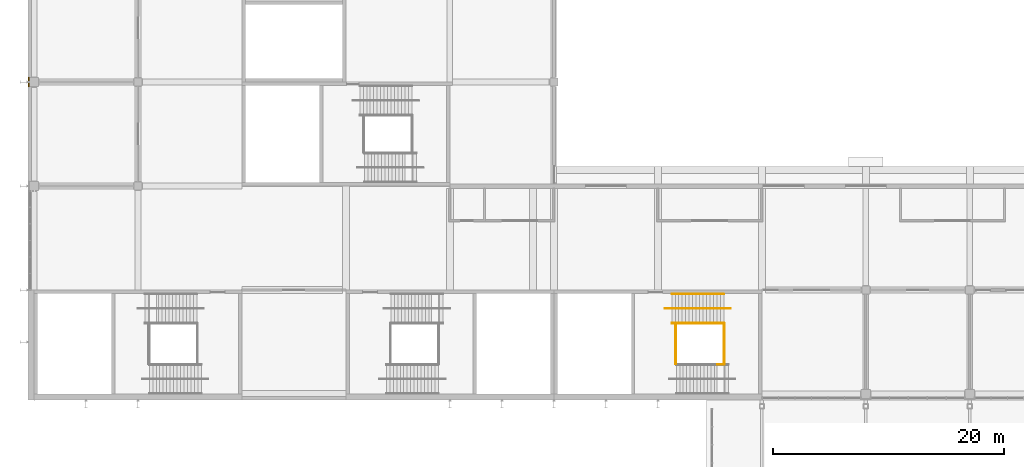
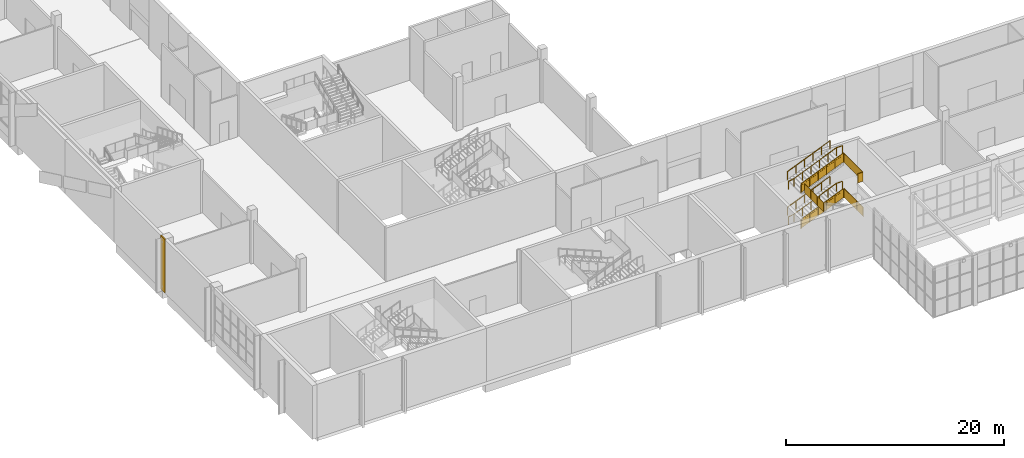
# One storey, part 69 of 89: 11 railings, 1 covering.
"""IFC4 building model written with IfcOpenShell, lengths in metres."""

from ifc_helpers import new_model, si_unit, direction, frame, origin, origin_2d, place, context, subcontext, project, spatial, polyline, circle, outline, extrude, material, layer, layer_set, type_object, element, save


model = new_model("IFC4")

# Units and contexts
model_context = context("Model", 3, precision=1e-05, world=origin(), true_north=direction((0.0, 1.0)))
body_context = subcontext(model_context, "Body", "Model", "MODEL_VIEW")
ifc_project = project(units=[si_unit("LENGTHUNIT", "METRE"), si_unit("AREAUNIT", "SQUARE_METRE"), si_unit("VOLUMEUNIT", "CUBIC_METRE"), si_unit("PLANEANGLEUNIT", "RADIAN"), si_unit("MASSUNIT", "GRAM", prefix="KILO")], contexts=[model_context])

# Site, building, storey
site_placement = place(None, origin())
site = spatial("IfcSite", under=ifc_project, at=site_placement, CompositionType="ELEMENT")
building_placement = place(site_placement, origin())
building = spatial("IfcBuilding", under=site, at=building_placement, Name="Silverbay Arena", CompositionType="ELEMENT")
storey_placement = place(building_placement, frame((0.0, 0.0, 22.0)))
storey = spatial("IfcBuildingStorey", under=building, at=storey_placement, Name="L03", CompositionType="ELEMENT", Elevation=22.0)

# Covering
ifc_material_1 = material(Name="Aluminium composite cladding", Category="aluminium")
ifc_layer = layer(ifc_material_1, 0.10009765625)
ifc_layer_set = layer_set([ifc_layer], Name="Aluminium composite cladding")
covering_type = type_object("IfcCoveringType", Name="Column cladding 100", PredefinedType="CLADDING", material=ifc_layer_set)
covering_placement = place(storey_placement, origin())
element("IfcCovering", 1, at=covering_placement, inside=storey, type_object=covering_type, Name="West column cladding L03 7", PredefinedType="CLADDING", context=body_context, shape_type="SweptSolid", body=[
    extrude(outline(polyline([(53.5, 44.60009765625), (53.60009765625, 44.60009765625), (53.60009765625, 45.39990234375), (53.5, 45.39990234375), (53.5, 44.60009765625)])), origin(), (0.0, 0.0, 1.0), 6.0),
])

# Railings
ifc_material_2 = material(Name="Stainless steel", Category="steel")
railing_type_1 = type_object("IfcRailingType", Name="Stair guard 1100", PredefinedType="GUARDRAIL", material=ifc_material_2)
railing_1_placement = place(storey_placement, frame((109.2099609375, 24.125, 0.125)))
element("IfcRailing", 2, at=railing_1_placement, inside=storey, type_object=railing_type_1, Name="Stair ST-S2 L03 to L04 flight 1 guard right", PredefinedType="GUARDRAIL", context=body_context, shape_type="SweptSolid", body=[
    extrude(circle(Radius=0.02392578125, at=origin_2d()), frame((0.0, 0.0, 1.076171875), z_axis=(0.923076923077, 0.0, 0.384615384615), x_axis=(0.0, 1.0, 0.0)), (0.0, 0.0, 1.0), 4.875),
    extrude(outline(polyline([(-0.008056640625, 0.046630859375), (0.907958984375, 0.42822265625), (0.907958984375, 1.431396484375), (-0.008056640625, 1.049560546875), (-0.008056640625, 0.046630859375)])), frame((0.0, 0.0029296875, 0.0), z_axis=(0.0, -1.0, 0.0), x_axis=(1.0, 0.0, 0.0)), (0.0, 0.0, 1.0), 0.006103515625),
    extrude(outline(polyline([(-0.008056640625, 0.421630859375), (0.907958984375, 0.80322265625), (0.907958984375, 1.806396484375), (-0.008056640625, 1.424560546875), (-0.008056640625, 0.421630859375)])), frame((0.89990234375, 0.0029296875, 0.0), z_axis=(0.0, -1.0, 0.0), x_axis=(1.0, 0.0, 0.0)), (0.0, 0.0, 1.0), 0.006103515625),
    extrude(outline(polyline([(-0.008056640625, 0.796630859375), (0.907958984375, 1.17822265625), (0.907958984375, 2.181396484375), (-0.008056640625, 1.799560546875), (-0.008056640625, 0.796630859375)])), frame((1.800048828125, 0.0029296875, 0.0), z_axis=(0.0, -1.0, 0.0), x_axis=(1.0, 0.0, 0.0)), (0.0, 0.0, 1.0), 0.006103515625),
    extrude(outline(polyline([(-0.008056640625, 1.171630859375), (0.907958984375, 1.55322265625), (0.907958984375, 2.556396484375), (-0.008056640625, 2.174560546875), (-0.008056640625, 1.171630859375)])), frame((2.699951171875, 0.0029296875, 0.0), z_axis=(0.0, -1.0, 0.0), x_axis=(1.0, 0.0, 0.0)), (0.0, 0.0, 1.0), 0.006103515625),
    extrude(outline(polyline([(-0.008056640625, 1.546630859375), (0.907958984375, 1.92822265625), (0.907958984375, 2.931396484375), (-0.008056640625, 2.549560546875), (-0.008056640625, 1.546630859375)])), frame((3.60009765625, 0.0029296875, 0.0), z_axis=(0.0, -1.0, 0.0), x_axis=(1.0, 0.0, 0.0)), (0.0, 0.0, 1.0), 0.006103515625),
    extrude(circle(Radius=0.02099609375, at=origin_2d()), origin(), (0.0, 0.0, 1.0), 1.052001953125),
    extrude(circle(Radius=0.02099609375, at=origin_2d()), frame((0.89990234375, 0.0, 0.375)), (0.0, 0.0, 1.0), 1.052001953125),
    extrude(circle(Radius=0.02099609375, at=origin_2d()), frame((1.800048828125, 0.0, 0.75)), (0.0, 0.0, 1.0), 1.052001953125),
    extrude(circle(Radius=0.02099609375, at=origin_2d()), frame((2.699951171875, 0.0, 1.125)), (0.0, 0.0, 1.0), 1.052001953125),
    extrude(circle(Radius=0.02099609375, at=origin_2d()), frame((3.60009765625, 0.0, 1.5)), (0.0, 0.0, 1.0), 1.052001953125),
    extrude(circle(Radius=0.02099609375, at=origin_2d()), frame((4.5, 0.0, 1.875)), (0.0, 0.0, 1.0), 1.052001953125),
])
railing_2_placement = place(storey_placement, frame((109.2099609375, 24.125, 4.125)))
element("IfcRailing", 3, at=railing_2_placement, inside=storey, type_object=railing_type_1, Name="Stair ST-S2 L03 to L04 flight 3 guard right", PredefinedType="GUARDRAIL", context=body_context, shape_type="SweptSolid", body=[
    extrude(circle(Radius=0.02392578125, at=origin_2d()), frame((0.0, 0.0, 1.076171875), z_axis=(0.923076923077, 0.0, 0.384615384615), x_axis=(0.0, 1.0, 0.0)), (0.0, 0.0, 1.0), 4.875),
    extrude(outline(polyline([(-0.008056640625, 0.046630859375), (0.907958984375, 0.42822265625), (0.907958984375, 1.431396484375), (-0.008056640625, 1.049560546875), (-0.008056640625, 0.046630859375)])), frame((0.0, 0.0029296875, 0.0), z_axis=(0.0, -1.0, 0.0), x_axis=(1.0, 0.0, 0.0)), (0.0, 0.0, 1.0), 0.006103515625),
    extrude(outline(polyline([(-0.008056640625, 0.421630859375), (0.907958984375, 0.80322265625), (0.907958984375, 1.806396484375), (-0.008056640625, 1.424560546875), (-0.008056640625, 0.421630859375)])), frame((0.89990234375, 0.0029296875, 0.0), z_axis=(0.0, -1.0, 0.0), x_axis=(1.0, 0.0, 0.0)), (0.0, 0.0, 1.0), 0.006103515625),
    extrude(outline(polyline([(-0.008056640625, 0.796630859375), (0.907958984375, 1.17822265625), (0.907958984375, 2.181396484375), (-0.008056640625, 1.799560546875), (-0.008056640625, 0.796630859375)])), frame((1.800048828125, 0.0029296875, 0.0), z_axis=(0.0, -1.0, 0.0), x_axis=(1.0, 0.0, 0.0)), (0.0, 0.0, 1.0), 0.006103515625),
    extrude(outline(polyline([(-0.008056640625, 1.171630859375), (0.907958984375, 1.55322265625), (0.907958984375, 2.556396484375), (-0.008056640625, 2.174560546875), (-0.008056640625, 1.171630859375)])), frame((2.699951171875, 0.0029296875, 0.0), z_axis=(0.0, -1.0, 0.0), x_axis=(1.0, 0.0, 0.0)), (0.0, 0.0, 1.0), 0.006103515625),
    extrude(outline(polyline([(-0.008056640625, 1.546630859375), (0.907958984375, 1.92822265625), (0.907958984375, 2.931396484375), (-0.008056640625, 2.549560546875), (-0.008056640625, 1.546630859375)])), frame((3.60009765625, 0.0029296875, 0.0), z_axis=(0.0, -1.0, 0.0), x_axis=(1.0, 0.0, 0.0)), (0.0, 0.0, 1.0), 0.006103515625),
    extrude(circle(Radius=0.02099609375, at=origin_2d()), origin(), (0.0, 0.0, 1.0), 1.052001953125),
    extrude(circle(Radius=0.02099609375, at=origin_2d()), frame((0.89990234375, 0.0, 0.375)), (0.0, 0.0, 1.0), 1.052001953125),
    extrude(circle(Radius=0.02099609375, at=origin_2d()), frame((1.800048828125, 0.0, 0.75)), (0.0, 0.0, 1.0), 1.052001953125),
    extrude(circle(Radius=0.02099609375, at=origin_2d()), frame((2.699951171875, 0.0, 1.125)), (0.0, 0.0, 1.0), 1.052001953125),
    extrude(circle(Radius=0.02099609375, at=origin_2d()), frame((3.60009765625, 0.0, 1.5)), (0.0, 0.0, 1.0), 1.052001953125),
    extrude(circle(Radius=0.02099609375, at=origin_2d()), frame((4.5, 0.0, 1.875)), (0.0, 0.0, 1.0), 1.052001953125),
])
for number, where, name in (
    (4, (113.760009765625, 24.10009765625, 2.0), "Stair ST-S2 L03 to L04 landing 1 guard"),
    (5, (109.550048828125, 24.10009765625, 4.0), "Stair ST-S2 L03 to L04 landing 2 guard"),
):
    element("IfcRailing", number, at=place(storey_placement, frame(where)), inside=storey, type_object=railing_type_1, Name=name, PredefinedType="GUARDRAIL", context=body_context, shape_type="SweptSolid", body=[
        extrude(circle(Radius=0.02392578125, at=origin_2d()), frame((0.0, 0.0, 1.076171875), z_axis=(0.0, -1.0, 0.0), x_axis=(1.0, 0.0, 0.0)), (0.0, 0.0, 1.0), 3.5),
        extrude(outline(polyline([(-0.008056640625, 0.050048828125), (1.174560546875, 0.050048828125), (1.174560546875, 1.052978515625), (-0.008056640625, 1.052978515625), (-0.008056640625, 0.050048828125)])), frame((0.0029296875, 0.0, 0.0), z_axis=(-1.0, 0.0, 0.0), x_axis=(0.0, -1.0, 0.0)), (0.0, 0.0, 1.0), 0.006103515625),
        extrude(outline(polyline([(-0.008056640625, 0.050048828125), (1.174560546875, 0.050048828125), (1.174560546875, 1.052978515625), (-0.008056640625, 1.052978515625), (-0.008056640625, 0.050048828125)])), frame((0.0029296875, -1.166748046875, 0.0), z_axis=(-1.0, 0.0, 0.0), x_axis=(0.0, -1.0, 0.0)), (0.0, 0.0, 1.0), 0.006103515625),
        extrude(outline(polyline([(-0.008056640625, 0.050048828125), (1.174560546875, 0.050048828125), (1.174560546875, 1.052978515625), (-0.008056640625, 1.052978515625), (-0.008056640625, 0.050048828125)])), frame((0.0029296875, -2.333251953125, 0.0), z_axis=(-1.0, 0.0, 0.0), x_axis=(0.0, -1.0, 0.0)), (0.0, 0.0, 1.0), 0.006103515625),
        extrude(circle(Radius=0.02099609375, at=origin_2d()), origin(), (0.0, 0.0, 1.0), 1.052001953125),
        extrude(circle(Radius=0.02099609375, at=origin_2d()), frame((0.0, -1.166748046875, 0.0)), (0.0, 0.0, 1.0), 1.052001953125),
        extrude(circle(Radius=0.02099609375, at=origin_2d()), frame((0.0, -2.333251953125, 0.0)), (0.0, 0.0, 1.0), 1.052001953125),
        extrude(circle(Radius=0.02099609375, at=origin_2d()), frame((0.0, -3.5, 0.0)), (0.0, 0.0, 1.0), 1.052001953125),
    ])
railing_3_placement = place(storey_placement, frame((113.14990234375, 20.550048828125, 6.0)))
element("IfcRailing", 6, at=railing_3_placement, inside=storey, type_object=railing_type_1, Name="Stair ST-S2 L03 to L04 landing 3 guard", PredefinedType="GUARDRAIL", context=body_context, shape_type="SweptSolid", body=[
    extrude(circle(Radius=0.02392578125, at=origin_2d()), frame((0.0, 0.0, 1.076171875), z_axis=(1.0, 0.0, 0.0), x_axis=(0.0, 1.0, 0.0)), (0.0, 0.0, 1.0), 0.56005859375),
    extrude(outline(polyline([(-0.008056640625, 0.050048828125), (0.568115234375, 0.050048828125), (0.568115234375, 1.052978515625), (-0.008056640625, 1.052978515625), (-0.008056640625, 0.050048828125)])), frame((0.0, 0.0029296875, 0.0), z_axis=(0.0, -1.0, 0.0), x_axis=(1.0, 0.0, 0.0)), (0.0, 0.0, 1.0), 0.006103515625),
    extrude(circle(Radius=0.02392578125, at=origin_2d()), frame((0.56005859375, 0.0, 1.076171875), z_axis=(0.0, 1.0, 0.0), x_axis=(-1.0, 0.0, 0.0)), (0.0, 0.0, 1.0), 3.550048828125),
    extrude(outline(polyline([(-0.008056640625, 0.050048828125), (1.19140625, 0.050048828125), (1.19140625, 1.052978515625), (-0.008056640625, 1.052978515625), (-0.008056640625, 0.050048828125)])), frame((0.55712890625, 0.0, 0.0), z_axis=(1.0, 0.0, 0.0), x_axis=(0.0, 1.0, 0.0)), (0.0, 0.0, 1.0), 0.006103515625),
    extrude(outline(polyline([(-0.008056640625, 0.050048828125), (1.19140625, 0.050048828125), (1.19140625, 1.052978515625), (-0.008056640625, 1.052978515625), (-0.008056640625, 0.050048828125)])), frame((0.55712890625, 1.183349609375, 0.0), z_axis=(1.0, 0.0, 0.0), x_axis=(0.0, 1.0, 0.0)), (0.0, 0.0, 1.0), 0.006103515625),
    extrude(outline(polyline([(-0.008056640625, 0.050048828125), (1.19140625, 0.050048828125), (1.19140625, 1.052978515625), (-0.008056640625, 1.052978515625), (-0.008056640625, 0.050048828125)])), frame((0.55712890625, 2.36669921875, 0.0), z_axis=(1.0, 0.0, 0.0), x_axis=(0.0, 1.0, 0.0)), (0.0, 0.0, 1.0), 0.006103515625),
    extrude(circle(Radius=0.02099609375, at=origin_2d()), origin(), (0.0, 0.0, 1.0), 1.052001953125),
    extrude(circle(Radius=0.02099609375, at=origin_2d()), frame((0.56005859375, 0.0, 0.0)), (0.0, 0.0, 1.0), 1.052001953125),
    extrude(circle(Radius=0.02099609375, at=origin_2d()), frame((0.56005859375, 1.183349609375, 0.0)), (0.0, 0.0, 1.0), 1.052001953125),
    extrude(circle(Radius=0.02099609375, at=origin_2d()), frame((0.56005859375, 2.36669921875, 0.0)), (0.0, 0.0, 1.0), 1.052001953125),
    extrude(circle(Radius=0.02099609375, at=origin_2d()), frame((0.56005859375, 3.550048828125, 0.0)), (0.0, 0.0, 1.0), 1.052001953125),
])
ifc_material_3 = material(Name="Stainless steel", Category="steel")
railing_type_2 = type_object("IfcRailingType", Name="Stair handrail 900", PredefinedType="HANDRAIL", material=ifc_material_3)
for number, where, name in (
    (7, (109.2099609375, 26.64990234375, 0.125), "Stair ST-S2 L03 to L04 flight 1 handrail left"),
    (8, (109.2099609375, 24.1640625, 0.125), "Stair ST-S2 L03 to L04 flight 1 handrail right"),
):
    element("IfcRailing", number, at=place(storey_placement, frame(where)), inside=storey, type_object=railing_type_2, Name=name, PredefinedType="HANDRAIL", context=body_context, shape_type="SweptSolid", body=[
        extrude(circle(Radius=0.02392578125, at=origin_2d()), frame((0.0, 0.0, 0.8759765625), z_axis=(0.923076923077, 0.0, 0.384615384615), x_axis=(0.0, 1.0, 0.0)), (0.0, 0.0, 1.0), 4.875),
        extrude(circle(Radius=0.02099609375, at=origin_2d()), origin(), (0.0, 0.0, 1.0), 0.851806640625),
        extrude(circle(Radius=0.02099609375, at=origin_2d()), frame((0.89990234375, 0.0, 0.375)), (0.0, 0.0, 1.0), 0.851806640625),
        extrude(circle(Radius=0.02099609375, at=origin_2d()), frame((1.800048828125, 0.0, 0.75)), (0.0, 0.0, 1.0), 0.851806640625),
        extrude(circle(Radius=0.02099609375, at=origin_2d()), frame((2.699951171875, 0.0, 1.125)), (0.0, 0.0, 1.0), 0.851806640625),
        extrude(circle(Radius=0.02099609375, at=origin_2d()), frame((3.60009765625, 0.0, 1.5)), (0.0, 0.0, 1.0), 0.851806640625),
        extrude(circle(Radius=0.02099609375, at=origin_2d()), frame((4.5, 0.0, 1.875)), (0.0, 0.0, 1.0), 0.851806640625),
    ])
railing_4_placement = place(storey_placement, frame((108.610107421875, 25.39990234375, 0.0)))
element("IfcRailing", 9, at=railing_4_placement, inside=storey, type_object=railing_type_2, Name="Stair ST-S2 L03 to L04 flight 1 central handrail", PredefinedType="HANDRAIL", context=body_context, shape_type="SweptSolid", body=[
    extrude(circle(Radius=0.02392578125, at=origin_2d()), frame((0.0, 0.0, 0.8759765625), z_axis=(0.978970474113, 0.0, 0.20400198728), x_axis=(0.0, 1.0, 0.0)), (0.0, 0.0, 1.0), 0.61279296875),
    extrude(circle(Radius=0.02392578125, at=origin_2d()), frame((0.599853515625, 0.0, 1.0009765625), z_axis=(0.923076923077, 0.0, 0.384615384615), x_axis=(0.0, 1.0, 0.0)), (0.0, 0.0, 1.0), 4.875),
    extrude(circle(Radius=0.02392578125, at=origin_2d()), frame((5.099853515625, 0.0, 2.8759765625), z_axis=(1.0, 0.0, 0.0), x_axis=(0.0, 1.0, 0.0)), (0.0, 0.0, 1.0), 0.60009765625),
    extrude(circle(Radius=0.02099609375, at=origin_2d()), origin(), (0.0, 0.0, 1.0), 0.851806640625),
    extrude(circle(Radius=0.02099609375, at=origin_2d()), frame((0.599853515625, 0.0, 0.125)), (0.0, 0.0, 1.0), 0.851806640625),
    extrude(circle(Radius=0.02099609375, at=origin_2d()), frame((1.499755859375, 0.0, 0.5)), (0.0, 0.0, 1.0), 0.851806640625),
    extrude(circle(Radius=0.02099609375, at=origin_2d()), frame((2.39990234375, 0.0, 0.875)), (0.0, 0.0, 1.0), 0.851806640625),
    extrude(circle(Radius=0.02099609375, at=origin_2d()), frame((3.2998046875, 0.0, 1.25)), (0.0, 0.0, 1.0), 0.851806640625),
    extrude(circle(Radius=0.02099609375, at=origin_2d()), frame((4.199951171875, 0.0, 1.625)), (0.0, 0.0, 1.0), 0.851806640625),
    extrude(circle(Radius=0.02099609375, at=origin_2d()), frame((5.099853515625, 0.0, 2.0)), (0.0, 0.0, 1.0), 0.851806640625),
    extrude(circle(Radius=0.02099609375, at=origin_2d()), frame((5.699951171875, 0.0, 2.0)), (0.0, 0.0, 1.0), 0.851806640625),
])
for number, where, name in (
    (10, (109.2099609375, 26.64990234375, 4.125), "Stair ST-S2 L03 to L04 flight 3 handrail left"),
    (11, (109.2099609375, 24.1640625, 4.125), "Stair ST-S2 L03 to L04 flight 3 handrail right"),
):
    element("IfcRailing", number, at=place(storey_placement, frame(where)), inside=storey, type_object=railing_type_2, Name=name, PredefinedType="HANDRAIL", context=body_context, shape_type="SweptSolid", body=[
        extrude(circle(Radius=0.02392578125, at=origin_2d()), frame((0.0, 0.0, 0.8759765625), z_axis=(0.923076923077, 0.0, 0.384615384615), x_axis=(0.0, 1.0, 0.0)), (0.0, 0.0, 1.0), 4.875),
        extrude(circle(Radius=0.02099609375, at=origin_2d()), origin(), (0.0, 0.0, 1.0), 0.851806640625),
        extrude(circle(Radius=0.02099609375, at=origin_2d()), frame((0.89990234375, 0.0, 0.375)), (0.0, 0.0, 1.0), 0.851806640625),
        extrude(circle(Radius=0.02099609375, at=origin_2d()), frame((1.800048828125, 0.0, 0.75)), (0.0, 0.0, 1.0), 0.851806640625),
        extrude(circle(Radius=0.02099609375, at=origin_2d()), frame((2.699951171875, 0.0, 1.125)), (0.0, 0.0, 1.0), 0.851806640625),
        extrude(circle(Radius=0.02099609375, at=origin_2d()), frame((3.60009765625, 0.0, 1.5)), (0.0, 0.0, 1.0), 0.851806640625),
        extrude(circle(Radius=0.02099609375, at=origin_2d()), frame((4.5, 0.0, 1.875)), (0.0, 0.0, 1.0), 0.851806640625),
    ])
railing_5_placement = place(storey_placement, frame((108.610107421875, 25.39990234375, 4.0)))
element("IfcRailing", 12, at=railing_5_placement, inside=storey, type_object=railing_type_2, Name="Stair ST-S2 L03 to L04 flight 3 central handrail", PredefinedType="HANDRAIL", context=body_context, shape_type="SweptSolid", body=[
    extrude(circle(Radius=0.02392578125, at=origin_2d()), frame((0.0, 0.0, 0.8759765625), z_axis=(0.978970474113, 0.0, 0.20400198728), x_axis=(0.0, 1.0, 0.0)), (0.0, 0.0, 1.0), 0.61279296875),
    extrude(circle(Radius=0.02392578125, at=origin_2d()), frame((0.599853515625, 0.0, 1.0009765625), z_axis=(0.923076923077, 0.0, 0.384615384615), x_axis=(0.0, 1.0, 0.0)), (0.0, 0.0, 1.0), 4.875),
    extrude(circle(Radius=0.02392578125, at=origin_2d()), frame((5.099853515625, 0.0, 2.8759765625), z_axis=(1.0, 0.0, 0.0), x_axis=(0.0, 1.0, 0.0)), (0.0, 0.0, 1.0), 0.60009765625),
    extrude(circle(Radius=0.02099609375, at=origin_2d()), origin(), (0.0, 0.0, 1.0), 0.851806640625),
    extrude(circle(Radius=0.02099609375, at=origin_2d()), frame((0.599853515625, 0.0, 0.125)), (0.0, 0.0, 1.0), 0.851806640625),
    extrude(circle(Radius=0.02099609375, at=origin_2d()), frame((1.499755859375, 0.0, 0.5)), (0.0, 0.0, 1.0), 0.851806640625),
    extrude(circle(Radius=0.02099609375, at=origin_2d()), frame((2.39990234375, 0.0, 0.875)), (0.0, 0.0, 1.0), 0.851806640625),
    extrude(circle(Radius=0.02099609375, at=origin_2d()), frame((3.2998046875, 0.0, 1.25)), (0.0, 0.0, 1.0), 0.851806640625),
    extrude(circle(Radius=0.02099609375, at=origin_2d()), frame((4.199951171875, 0.0, 1.625)), (0.0, 0.0, 1.0), 0.851806640625),
    extrude(circle(Radius=0.02099609375, at=origin_2d()), frame((5.099853515625, 0.0, 2.0)), (0.0, 0.0, 1.0), 0.851806640625),
    extrude(circle(Radius=0.02099609375, at=origin_2d()), frame((5.699951171875, 0.0, 2.0)), (0.0, 0.0, 1.0), 0.851806640625),
])

save(model, "model.ifc")
